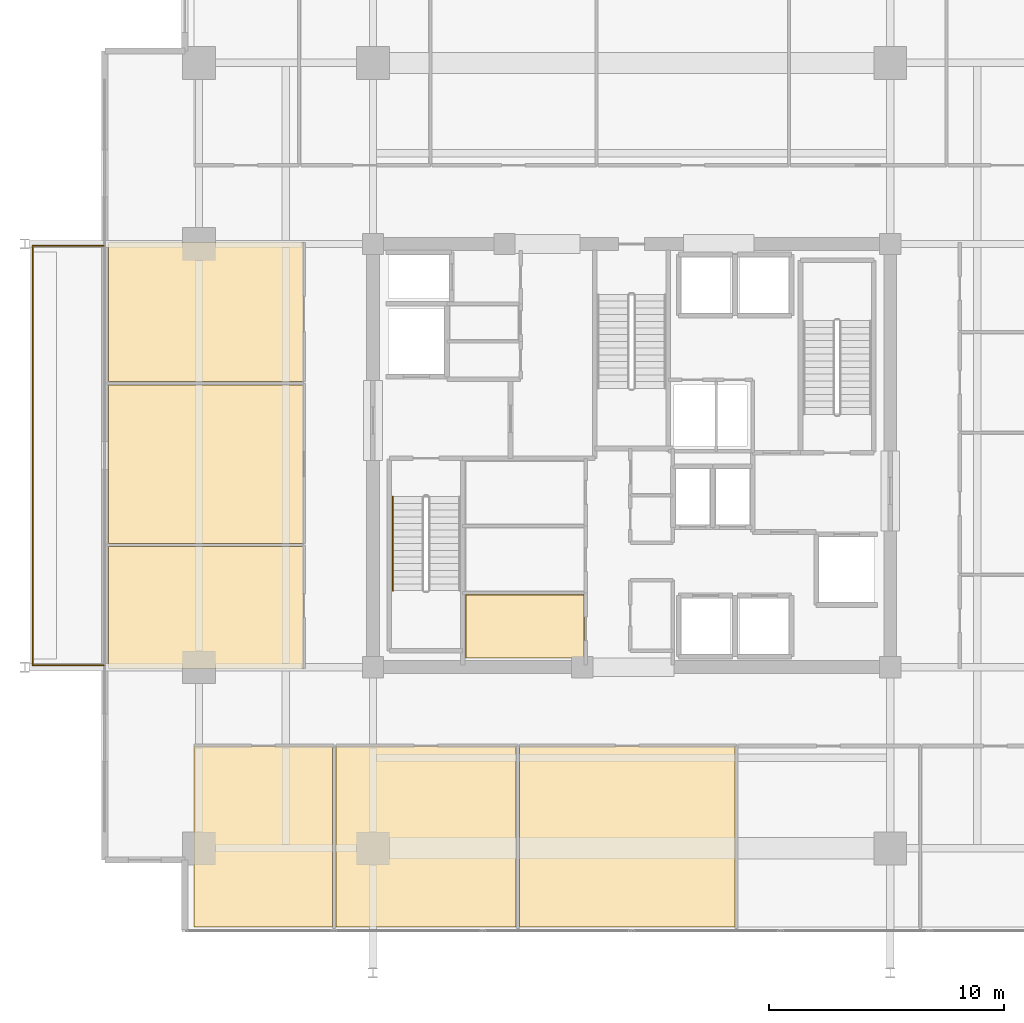
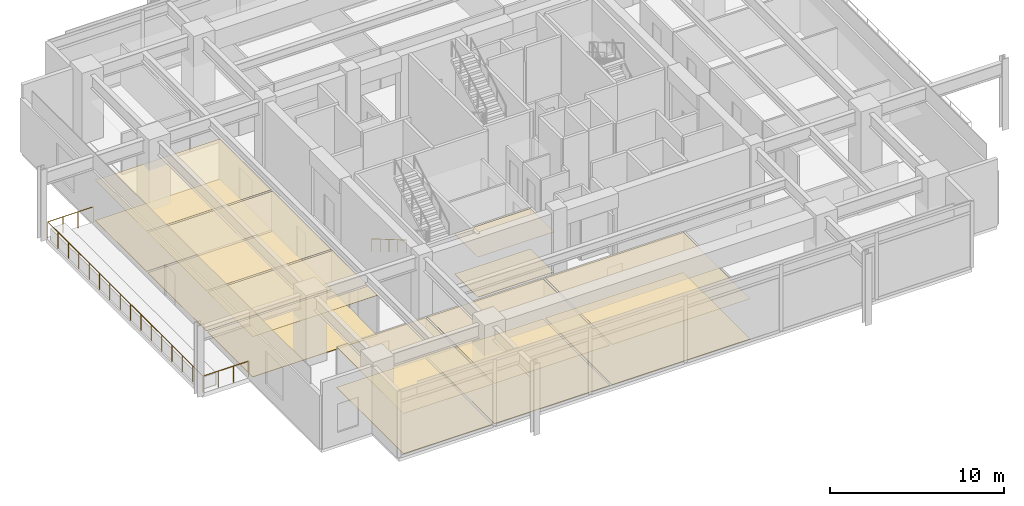
# One storey, part 16 of 19: 14 coverings, 2 railings.
"""IFC4 building model written with IfcOpenShell, lengths in metres."""

from ifc_helpers import new_model, si_unit, direction, frame, origin, origin_2d, place, context, subcontext, project, spatial, polyline, circle, outline, extrude, material, layer, layer_set, type_object, element, save


model = new_model("IFC4")

# Units and contexts
model_context = context("Model", 3, precision=1e-05, world=origin(), true_north=direction((0.0, 1.0)))
body_context = subcontext(model_context, "Body", "Model", "MODEL_VIEW")
ifc_project = project(units=[si_unit("LENGTHUNIT", "METRE"), si_unit("AREAUNIT", "SQUARE_METRE"), si_unit("VOLUMEUNIT", "CUBIC_METRE"), si_unit("PLANEANGLEUNIT", "RADIAN"), si_unit("MASSUNIT", "GRAM", prefix="KILO")], contexts=[model_context])

# Site, building, storey
site_placement = place(None, origin())
site = spatial("IfcSite", under=ifc_project, at=site_placement, CompositionType="ELEMENT")
building_placement = place(site_placement, origin())
building = spatial("IfcBuilding", under=site, at=building_placement, Name="Kovane Verandah Tower", CompositionType="ELEMENT")
storey_placement = place(building_placement, frame((0.0, 0.0, 184.39990234375)))
storey = spatial("IfcBuildingStorey", under=building, at=storey_placement, Name="L43", CompositionType="ELEMENT", Elevation=184.39990234375)

# Coverings
ifc_material_1 = material(Name="Perforated Acoustic Mineral-Fibre Ceiling Tile", Category="gypsum")
ifc_layer_1 = layer(ifc_material_1, 0.02490234375)
ifc_layer_set_1 = layer_set([ifc_layer_1], Name="Perforated Acoustic Mineral-Fibre Ceiling Tile")
covering_type_1 = type_object("IfcCoveringType", Name="CV-CEIL-25", PredefinedType="CEILING", material=ifc_layer_set_1)
covering_1_placement = place(storey_placement, frame((0.0, 0.0, 2.8251953125)))
element("IfcCovering", 1, at=covering_1_placement, inside=storey, type_object=covering_type_1, Name="L43 Project Archive Room Acoustic Ceiling", PredefinedType="CEILING", context=body_context, shape_type="SweptSolid", body=[
    extrude(outline(polyline([(32.93505859375, 18.885009765625), (37.9951171875, 18.885009765625), (37.9951171875, 21.594970703125), (32.93505859375, 21.594970703125), (32.93505859375, 18.885009765625)])), origin(), (0.0, 0.0, 1.0), 0.02490234375),
])
covering_2_placement = place(storey_placement, frame((0.0, 0.0, 2.8251953125)))
element("IfcCovering", 2, at=covering_2_placement, inside=storey, type_object=covering_type_1, Name="L43 Meeting Room S1 Acoustic Ceiling", PredefinedType="CEILING", context=body_context, shape_type="SweptSolid", body=[
    extrude(outline(polyline([(21.39990234375, 7.449951171875), (27.281982421875, 7.449951171875), (27.281982421875, 15.14990234375), (21.39990234375, 15.14990234375), (21.39990234375, 7.449951171875)])), origin(), (0.0, 0.0, 1.0), 0.02490234375),
])
covering_3_placement = place(storey_placement, frame((0.0, 0.0, 2.8251953125)))
element("IfcCovering", 3, at=covering_3_placement, inside=storey, type_object=covering_type_1, Name="L43 Focus Studio S2 Acoustic Ceiling", PredefinedType="CEILING", context=body_context, shape_type="SweptSolid", body=[
    extrude(outline(polyline([(27.422119140625, 7.449951171875), (35.093994140625, 7.449951171875), (35.093994140625, 15.14990234375), (27.422119140625, 15.14990234375), (27.422119140625, 7.449951171875)])), origin(), (0.0, 0.0, 1.0), 0.02490234375),
])
covering_4_placement = place(storey_placement, frame((0.0, 0.0, 2.8251953125)))
element("IfcCovering", 4, at=covering_4_placement, inside=storey, type_object=covering_type_1, Name="L43 Breakout Pantry S3 Acoustic Ceiling", PredefinedType="CEILING", context=body_context, shape_type="SweptSolid", body=[
    extrude(outline(polyline([(35.23388671875, 7.449951171875), (44.39404296875, 7.449951171875), (44.39404296875, 15.14990234375), (35.23388671875, 15.14990234375), (35.23388671875, 7.449951171875)])), origin(), (0.0, 0.0, 1.0), 0.02490234375),
])
covering_5_placement = place(storey_placement, frame((0.0, 0.0, 2.8251953125)))
element("IfcCovering", 5, at=covering_5_placement, inside=storey, type_object=covering_type_1, Name="L43 Open Plan Office W1 Acoustic Ceiling", PredefinedType="CEILING", context=body_context, shape_type="SweptSolid", body=[
    extrude(outline(polyline([(17.75, 18.449951171875), (26.050048828125, 18.449951171875), (26.050048828125, 23.62890625), (17.75, 23.62890625), (17.75, 18.449951171875)])), origin(), (0.0, 0.0, 1.0), 0.02490234375),
])
covering_6_placement = place(storey_placement, frame((0.0, 0.0, 2.8251953125)))
element("IfcCovering", 6, at=covering_6_placement, inside=storey, type_object=covering_type_1, Name="L43 Executive Office W2 Acoustic Ceiling", PredefinedType="CEILING", context=body_context, shape_type="SweptSolid", body=[
    extrude(outline(polyline([(17.75, 23.76904296875), (26.050048828125, 23.76904296875), (26.050048828125, 30.507080078125), (17.75, 30.507080078125), (17.75, 23.76904296875)])), origin(), (0.0, 0.0, 1.0), 0.02490234375),
])
covering_7_placement = place(storey_placement, frame((0.0, 0.0, 2.8251953125)))
element("IfcCovering", 7, at=covering_7_placement, inside=storey, type_object=covering_type_1, Name="L43 Client Boardroom W3 Acoustic Ceiling", PredefinedType="CEILING", context=body_context, shape_type="SweptSolid", body=[
    extrude(outline(polyline([(17.75, 30.64697265625), (26.050048828125, 30.64697265625), (26.050048828125, 36.550048828125), (17.75, 36.550048828125), (17.75, 30.64697265625)])), origin(), (0.0, 0.0, 1.0), 0.02490234375),
])
ifc_material_2 = material(Name="Polished Terrazzo and Raised-Access Carpet Tile Finish", Category="concrete")
ifc_layer_2 = layer(ifc_material_2, 0.030029296875)
ifc_layer_set_2 = layer_set([ifc_layer_2], Name="Polished Terrazzo and Raised-Access Carpet Tile Finish")
covering_type_2 = type_object("IfcCoveringType", Name="CV-FLOR-30", PredefinedType="FLOORING", material=ifc_layer_set_2)
covering_8_placement = place(storey_placement, origin())
element("IfcCovering", 8, at=covering_8_placement, inside=storey, type_object=covering_type_2, Name="L43 Project Archive Room Floor Finish", PredefinedType="FLOORING", context=body_context, shape_type="SweptSolid", body=[
    extrude(outline(polyline([(32.949951171875, 18.89990234375), (37.97998046875, 18.89990234375), (37.97998046875, 21.580078125), (32.949951171875, 21.580078125), (32.949951171875, 18.89990234375)])), origin(), (0.0, 0.0, 1.0), 0.030029296875),
])
covering_9_placement = place(storey_placement, origin())
element("IfcCovering", 9, at=covering_9_placement, inside=storey, type_object=covering_type_2, Name="L43 Meeting Room S1 Floor Finish", PredefinedType="FLOORING", context=body_context, shape_type="SweptSolid", body=[
    extrude(outline(polyline([(21.39990234375, 7.449951171875), (27.281982421875, 7.449951171875), (27.281982421875, 15.14990234375), (21.39990234375, 15.14990234375), (21.39990234375, 7.449951171875)])), origin(), (0.0, 0.0, 1.0), 0.030029296875),
])
covering_10_placement = place(storey_placement, origin())
element("IfcCovering", 10, at=covering_10_placement, inside=storey, type_object=covering_type_2, Name="L43 Focus Studio S2 Floor Finish", PredefinedType="FLOORING", context=body_context, shape_type="SweptSolid", body=[
    extrude(outline(polyline([(27.422119140625, 7.449951171875), (35.093994140625, 7.449951171875), (35.093994140625, 15.14990234375), (27.422119140625, 15.14990234375), (27.422119140625, 7.449951171875)])), origin(), (0.0, 0.0, 1.0), 0.030029296875),
])
covering_11_placement = place(storey_placement, origin())
element("IfcCovering", 11, at=covering_11_placement, inside=storey, type_object=covering_type_2, Name="L43 Breakout Pantry S3 Floor Finish", PredefinedType="FLOORING", context=body_context, shape_type="SweptSolid", body=[
    extrude(outline(polyline([(35.23388671875, 7.449951171875), (44.39404296875, 7.449951171875), (44.39404296875, 15.14990234375), (35.23388671875, 15.14990234375), (35.23388671875, 7.449951171875)])), origin(), (0.0, 0.0, 1.0), 0.030029296875),
])
covering_12_placement = place(storey_placement, origin())
element("IfcCovering", 12, at=covering_12_placement, inside=storey, type_object=covering_type_2, Name="L43 Open Plan Office W1 Floor Finish", PredefinedType="FLOORING", context=body_context, shape_type="SweptSolid", body=[
    extrude(outline(polyline([(17.75, 18.449951171875), (26.050048828125, 18.449951171875), (26.050048828125, 23.62890625), (17.75, 23.62890625), (17.75, 18.449951171875)])), origin(), (0.0, 0.0, 1.0), 0.030029296875),
])
covering_13_placement = place(storey_placement, origin())
element("IfcCovering", 13, at=covering_13_placement, inside=storey, type_object=covering_type_2, Name="L43 Executive Office W2 Floor Finish", PredefinedType="FLOORING", context=body_context, shape_type="SweptSolid", body=[
    extrude(outline(polyline([(17.75, 23.76904296875), (26.050048828125, 23.76904296875), (26.050048828125, 30.507080078125), (17.75, 30.507080078125), (17.75, 23.76904296875)])), origin(), (0.0, 0.0, 1.0), 0.030029296875),
])
covering_14_placement = place(storey_placement, origin())
element("IfcCovering", 14, at=covering_14_placement, inside=storey, type_object=covering_type_2, Name="L43 Client Boardroom W3 Floor Finish", PredefinedType="FLOORING", context=body_context, shape_type="SweptSolid", body=[
    extrude(outline(polyline([(17.75, 30.64697265625), (26.050048828125, 30.64697265625), (26.050048828125, 36.550048828125), (17.75, 36.550048828125), (17.75, 30.64697265625)])), origin(), (0.0, 0.0, 1.0), 0.030029296875),
])

# Railings
ifc_material_3 = material(Name="Laminated Glass and Pale-Champagne Stainless Balustrade", Category="glass")
railing_type_1 = type_object("IfcRailingType", Name="RL-BAL-1150", PredefinedType="BALUSTRADE", material=ifc_material_3)
railing_1_placement = place(storey_placement, frame((17.550048828125, 18.580078125, 0.0)))
element("IfcRailing", 15, at=railing_1_placement, inside=storey, type_object=railing_type_1, Name="L43 W Verandah Glass Balustrade", PredefinedType="BALUSTRADE", context=body_context, shape_type="SweptSolid", body=[
    extrude(circle(Radius=0.02392578125, at=origin_2d()), frame((0.0, 0.0, 1.1259765625), z_axis=(-1.0, 0.0, 0.0), x_axis=(0.0, -1.0, 0.0)), (0.0, 0.0, 1.0), 3.02001953125),
    extrude(circle(Radius=0.02392578125, at=origin_2d()), frame((-3.02001953125, 0.0, 1.1259765625), z_axis=(0.0, 1.0, 0.0), x_axis=(-1.0, 0.0, 0.0)), (0.0, 0.0, 1.0), 17.83984375),
    extrude(circle(Radius=0.02392578125, at=origin_2d()), frame((-3.02001953125, 17.83984375, 1.1259765625), z_axis=(1.0, 0.0, 0.0), x_axis=(0.0, 1.0, 0.0)), (0.0, 0.0, 1.0), 3.02001953125),
    extrude(circle(Radius=0.02099609375, at=origin_2d()), origin(), (0.0, 0.0, 1.0), 1.101806640625),
    extrude(circle(Radius=0.02099609375, at=origin_2d()), frame((-1.006591796875, 0.0, 0.0)), (0.0, 0.0, 1.0), 1.101806640625),
    extrude(circle(Radius=0.02099609375, at=origin_2d()), frame((-2.013427734375, 0.0, 0.0)), (0.0, 0.0, 1.0), 1.101806640625),
    extrude(circle(Radius=0.02099609375, at=origin_2d()), frame((-3.02001953125, 0.0, 0.0)), (0.0, 0.0, 1.0), 1.101806640625),
    extrude(circle(Radius=0.02099609375, at=origin_2d()), frame((-3.02001953125, 1.189208984375, 0.0)), (0.0, 0.0, 1.0), 1.101806640625),
    extrude(circle(Radius=0.02099609375, at=origin_2d()), frame((-3.02001953125, 2.378662109375, 0.0)), (0.0, 0.0, 1.0), 1.101806640625),
    extrude(circle(Radius=0.02099609375, at=origin_2d()), frame((-3.02001953125, 3.56787109375, 0.0)), (0.0, 0.0, 1.0), 1.101806640625),
    extrude(circle(Radius=0.02099609375, at=origin_2d()), frame((-3.02001953125, 4.75732421875, 0.0)), (0.0, 0.0, 1.0), 1.101806640625),
    extrude(circle(Radius=0.02099609375, at=origin_2d()), frame((-3.02001953125, 5.946533203125, 0.0)), (0.0, 0.0, 1.0), 1.101806640625),
    extrude(circle(Radius=0.02099609375, at=origin_2d()), frame((-3.02001953125, 7.135986328125, 0.0)), (0.0, 0.0, 1.0), 1.101806640625),
    extrude(circle(Radius=0.02099609375, at=origin_2d()), frame((-3.02001953125, 8.3251953125, 0.0)), (0.0, 0.0, 1.0), 1.101806640625),
    extrude(circle(Radius=0.02099609375, at=origin_2d()), frame((-3.02001953125, 9.5146484375, 0.0)), (0.0, 0.0, 1.0), 1.101806640625),
    extrude(circle(Radius=0.02099609375, at=origin_2d()), frame((-3.02001953125, 10.703857421875, 0.0)), (0.0, 0.0, 1.0), 1.101806640625),
    extrude(circle(Radius=0.02099609375, at=origin_2d()), frame((-3.02001953125, 11.893310546875, 0.0)), (0.0, 0.0, 1.0), 1.101806640625),
    extrude(circle(Radius=0.02099609375, at=origin_2d()), frame((-3.02001953125, 13.08251953125, 0.0)), (0.0, 0.0, 1.0), 1.101806640625),
    extrude(circle(Radius=0.02099609375, at=origin_2d()), frame((-3.02001953125, 14.27197265625, 0.0)), (0.0, 0.0, 1.0), 1.101806640625),
    extrude(circle(Radius=0.02099609375, at=origin_2d()), frame((-3.02001953125, 15.461181640625, 0.0)), (0.0, 0.0, 1.0), 1.101806640625),
    extrude(circle(Radius=0.02099609375, at=origin_2d()), frame((-3.02001953125, 16.650634765625, 0.0)), (0.0, 0.0, 1.0), 1.101806640625),
    extrude(circle(Radius=0.02099609375, at=origin_2d()), frame((-3.02001953125, 17.83984375, 0.0)), (0.0, 0.0, 1.0), 1.101806640625),
    extrude(circle(Radius=0.02099609375, at=origin_2d()), frame((-2.013427734375, 17.83984375, 0.0)), (0.0, 0.0, 1.0), 1.101806640625),
    extrude(circle(Radius=0.02099609375, at=origin_2d()), frame((-1.006591796875, 17.83984375, 0.0)), (0.0, 0.0, 1.0), 1.101806640625),
    extrude(circle(Radius=0.02099609375, at=origin_2d()), frame((0.0, 17.83984375, 0.0)), (0.0, 0.0, 1.0), 1.101806640625),
])
ifc_material_4 = material(Name="Brushed Stainless Steel Handrail", Category="steel")
railing_type_2 = type_object("IfcRailingType", Name="RL-HAND-920", PredefinedType="HANDRAIL", material=ifc_material_4)
railing_2_placement = place(storey_placement, frame((29.85009765625, 25.75, 0.166748046875)))
element("IfcRailing", 16, at=railing_2_placement, inside=storey, type_object=railing_type_2, Name="L43 ST-01 stair handrail 1", PredefinedType="HANDRAIL", context=body_context, shape_type="SweptSolid", body=[
    extrude(circle(Radius=0.02392578125, at=origin_2d()), frame((0.0, 0.0, 0.8759765625), z_axis=(0.0, -0.863236243904, 0.504800145811), x_axis=(1.0, 0.0, 0.0)), (0.0, 0.0, 1.0), 4.6220703125),
    extrude(circle(Radius=0.02099609375, at=origin_2d()), origin(), (0.0, 0.0, 1.0), 0.851806640625),
    extrude(circle(Radius=0.02099609375, at=origin_2d()), frame((0.0, -0.99755859375, 0.583251953125)), (0.0, 0.0, 1.0), 0.851806640625),
    extrude(circle(Radius=0.02099609375, at=origin_2d()), frame((0.0, -1.9951171875, 1.16650390625)), (0.0, 0.0, 1.0), 0.851806640625),
    extrude(circle(Radius=0.02099609375, at=origin_2d()), frame((0.0, -2.992431640625, 1.75)), (0.0, 0.0, 1.0), 0.851806640625),
    extrude(circle(Radius=0.02099609375, at=origin_2d()), frame((0.0, -3.989990234375, 2.333251953125)), (0.0, 0.0, 1.0), 0.851806640625),
])

save(model, "model.ifc")
